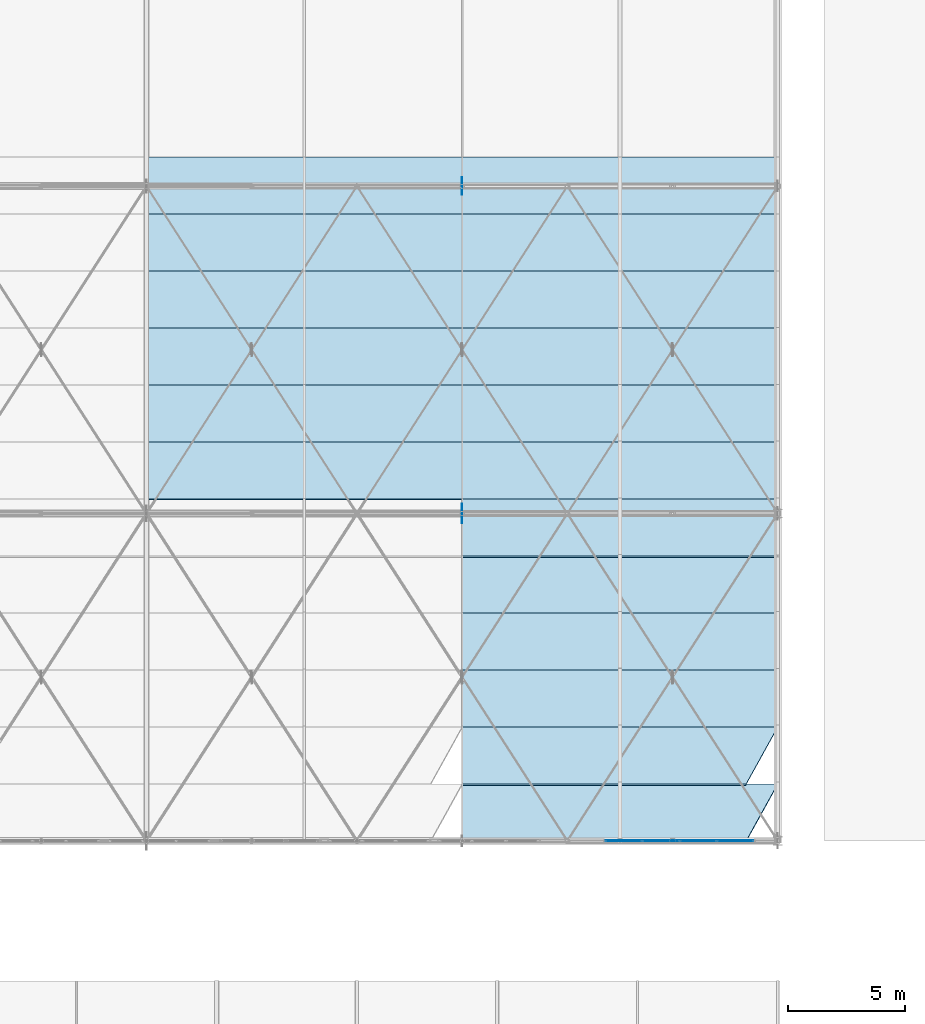
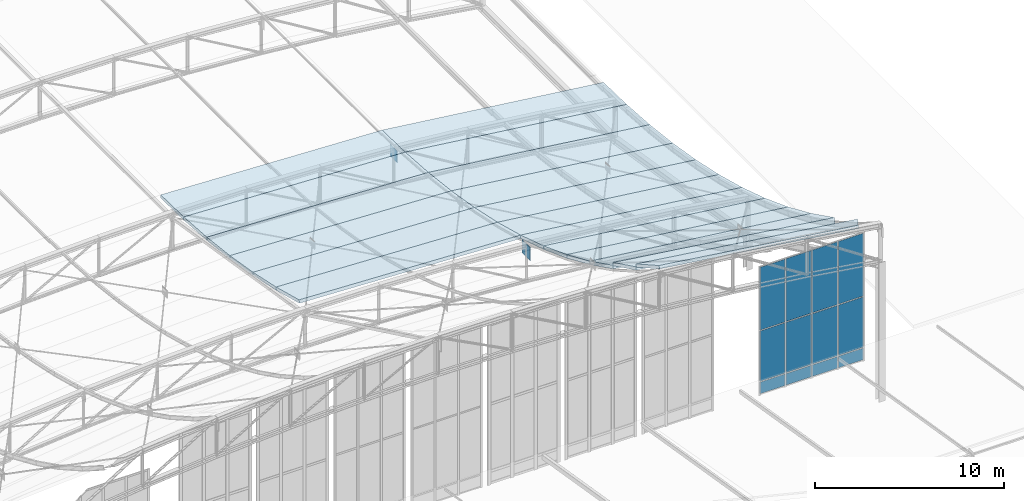
# One storey, part 230 of 262: 18 slabs, 14 plates, 1 element without a shape of its own.
"""IFC4 building model written with IfcOpenShell, lengths in metres."""

from ifc_helpers import new_model, si_unit, derived_unit, direction, frame, origin, origin_2d, place, context, subcontext, project, spatial, polyline, rectangle, outline, extrude, material, layer, layer_set, type_object, element, aggregate, save


model = new_model("IFC4")

# Units and contexts
model_context = context("Model", 3, precision=1e-05, world=origin(), true_north=direction((0.0, 1.0)))
body_context = subcontext(model_context, "Body", "Model", "MODEL_VIEW")
ifc_project = project(units=[si_unit("LENGTHUNIT", "METRE"), si_unit("AREAUNIT", "SQUARE_METRE"), si_unit("VOLUMEUNIT", "CUBIC_METRE"), si_unit("PLANEANGLEUNIT", "RADIAN"), si_unit("MASSUNIT", "GRAM", prefix="KILO"), derived_unit("THERMALTRANSMITTANCEUNIT", [(si_unit("POWERUNIT", "WATT"), 1), (si_unit("LENGTHUNIT", "METRE"), -2), (si_unit("THERMODYNAMICTEMPERATUREUNIT", "KELVIN"), -1)])], contexts=[model_context])

# Site, building, storey
site_placement = place(None, origin())
site = spatial("IfcSite", under=ifc_project, at=site_placement, CompositionType="ELEMENT")
building_placement = place(site_placement, origin())
building = spatial("IfcBuilding", under=site, at=building_placement, Name="Almenara Railside Exhibition Hall", CompositionType="ELEMENT")
storey_placement = place(building_placement, frame((0.0, 0.0, 21.699951171875)))
storey = spatial("IfcBuildingStorey", under=building, at=storey_placement, Name="RF", CompositionType="ELEMENT", Elevation=21.699951171875)

# Curtain wall, plates
ifc_material_1 = material(Name="Bronze-anodised aluminium and low-E double glazing", Category="aluminium")
ifc_layer_1 = layer(ifc_material_1, 0.179931640625, Name="Bronze-anodised aluminium and low-E double glazing")
ifc_layer_set_1 = layer_set([ifc_layer_1], Name="Bronze-anodised aluminium and low-E double glazing")
curtain_wall_type = type_object("IfcCurtainWallType", Name="Scroll Gable Standard Curtain Wall 3600x5000", PredefinedType="NOTDEFINED", material=ifc_layer_set_1)
curtain_wall_placement = place(storey_placement, origin())
curtain_wall = element("IfcCurtainWall", 1, at=curtain_wall_placement, inside=storey, type_object=curtain_wall_type, Name="Curtain wall CW-G2-215", PredefinedType="NOTDEFINED")
ifc_material_2 = material(Name="Solar-control acoustic laminated glazing", Category="glass")
ifc_layer_2 = layer(ifc_material_2, 0.031982421875, Name="Solar-control acoustic laminated glazing")
ifc_layer_set_2 = layer_set([ifc_layer_2], Name="Solar-control acoustic laminated glazing")
plate_type_1 = type_object("IfcPlateType", Name="Acoustic Low-E Double Glazing Panel 32mm", PredefinedType="CURTAIN_PANEL", material=ifc_layer_set_2)
plate_1_placement = place(storey_placement, frame((185.413818359375, 34.0, -6.6259765625), z_axis=(0.0, 0.0, 1.0), x_axis=(1.0, 0.0, 0.0)))
plate_1 = element("IfcPlate", 2, at=plate_1_placement, type_object=plate_type_1, Name="CW-G2-215 panel 1.1", PredefinedType="CURTAIN_PANEL", context=body_context, shape_type="SweptSolid", body=[
    extrude(rectangle(XDim=1.533447265625, YDim=0.031982421875, at=origin_2d()), origin(), (0.0, 0.0, 1.0), 0.7470703125),
])
plate_2_placement = place(storey_placement, frame((185.413818359375, 34.0, -5.82080078125), z_axis=(0.0, 0.0, 1.0), x_axis=(1.0, 0.0, 0.0)))
plate_2 = element("IfcPlate", 3, at=plate_2_placement, type_object=plate_type_1, Name="CW-G2-215 panel 1.2", PredefinedType="CURTAIN_PANEL", context=body_context, shape_type="SweptSolid", body=[
    extrude(rectangle(XDim=1.533447265625, YDim=0.031982421875, at=origin_2d()), origin(), (0.0, 0.0, 1.0), 3.241943359375),
])
plate_3_placement = place(storey_placement, frame((185.413818359375, 34.0, -2.52099609375), z_axis=(0.0, 0.0, 1.0), x_axis=(1.0, 0.0, 0.0)))
plate_3 = element("IfcPlate", 4, at=plate_3_placement, type_object=plate_type_1, Name="CW-G2-215 panel 1.3", PredefinedType="CURTAIN_PANEL", context=body_context, shape_type="SweptSolid", body=[
    extrude(rectangle(XDim=1.533447265625, YDim=0.031982421875, at=origin_2d()), origin(), (0.0, 0.0, 1.0), 4.047119140625),
])
plate_4_placement = place(storey_placement, frame((187.0, 34.0, -6.6259765625), z_axis=(0.0, 0.0, 1.0), x_axis=(1.0, 0.0, 0.0)))
plate_4 = element("IfcPlate", 5, at=plate_4_placement, type_object=plate_type_1, Name="CW-G2-215 panel 2.1", PredefinedType="CURTAIN_PANEL", context=body_context, shape_type="SweptSolid", body=[
    extrude(rectangle(XDim=1.56103515625, YDim=0.031982421875, at=origin_2d()), origin(), (0.0, 0.0, 1.0), 0.7470703125),
])
plate_5_placement = place(storey_placement, frame((187.0, 34.0, -5.82080078125), z_axis=(0.0, 0.0, 1.0), x_axis=(1.0, 0.0, 0.0)))
plate_5 = element("IfcPlate", 6, at=plate_5_placement, type_object=plate_type_1, Name="CW-G2-215 panel 2.2", PredefinedType="CURTAIN_PANEL", context=body_context, shape_type="SweptSolid", body=[
    extrude(rectangle(XDim=1.56103515625, YDim=0.031982421875, at=origin_2d()), origin(), (0.0, 0.0, 1.0), 3.241943359375),
])
plate_6_placement = place(storey_placement, frame((187.0, 34.0, -2.52099609375), z_axis=(0.0, 0.0, 1.0), x_axis=(1.0, 0.0, 0.0)))
plate_6 = element("IfcPlate", 7, at=plate_6_placement, type_object=plate_type_1, Name="CW-G2-215 panel 2.3", PredefinedType="CURTAIN_PANEL", context=body_context, shape_type="SweptSolid", body=[
    extrude(rectangle(XDim=1.56103515625, YDim=0.031982421875, at=origin_2d()), origin(), (0.0, 0.0, 1.0), 4.047119140625),
])
plate_7_placement = place(storey_placement, frame((188.60009765625, 34.0, -6.6259765625), z_axis=(0.0, 0.0, 1.0), x_axis=(1.0, 0.0, 0.0)))
plate_7 = element("IfcPlate", 8, at=plate_7_placement, type_object=plate_type_1, Name="CW-G2-215 panel 3.1", PredefinedType="CURTAIN_PANEL", context=body_context, shape_type="SweptSolid", body=[
    extrude(rectangle(XDim=1.56103515625, YDim=0.031982421875, at=origin_2d()), origin(), (0.0, 0.0, 1.0), 0.7470703125),
])
plate_8_placement = place(storey_placement, frame((188.60009765625, 34.0, -5.82080078125), z_axis=(0.0, 0.0, 1.0), x_axis=(1.0, 0.0, 0.0)))
plate_8 = element("IfcPlate", 9, at=plate_8_placement, type_object=plate_type_1, Name="CW-G2-215 panel 3.2", PredefinedType="CURTAIN_PANEL", context=body_context, shape_type="SweptSolid", body=[
    extrude(rectangle(XDim=1.56103515625, YDim=0.031982421875, at=origin_2d()), origin(), (0.0, 0.0, 1.0), 3.241943359375),
])
plate_9_placement = place(storey_placement, frame((188.60009765625, 34.0, -2.52099609375), z_axis=(0.0, 0.0, 1.0), x_axis=(1.0, 0.0, 0.0)))
plate_9 = element("IfcPlate", 10, at=plate_9_placement, type_object=plate_type_1, Name="CW-G2-215 panel 3.3", PredefinedType="CURTAIN_PANEL", context=body_context, shape_type="SweptSolid", body=[
    extrude(rectangle(XDim=1.56103515625, YDim=0.031982421875, at=origin_2d()), origin(), (0.0, 0.0, 1.0), 4.047119140625),
])
plate_10_placement = place(storey_placement, frame((190.186279296875, 34.0, -6.6259765625), z_axis=(0.0, 0.0, 1.0), x_axis=(1.0, 0.0, 0.0)))
plate_10 = element("IfcPlate", 11, at=plate_10_placement, type_object=plate_type_1, Name="CW-G2-215 panel 4.1", PredefinedType="CURTAIN_PANEL", context=body_context, shape_type="SweptSolid", body=[
    extrude(rectangle(XDim=1.533447265625, YDim=0.031982421875, at=origin_2d()), origin(), (0.0, 0.0, 1.0), 0.7470703125),
])
plate_11_placement = place(storey_placement, frame((190.186279296875, 34.0, -5.82080078125), z_axis=(0.0, 0.0, 1.0), x_axis=(1.0, 0.0, 0.0)))
plate_11 = element("IfcPlate", 12, at=plate_11_placement, type_object=plate_type_1, Name="CW-G2-215 panel 4.2", PredefinedType="CURTAIN_PANEL", context=body_context, shape_type="SweptSolid", body=[
    extrude(rectangle(XDim=1.533447265625, YDim=0.031982421875, at=origin_2d()), origin(), (0.0, 0.0, 1.0), 3.241943359375),
])
plate_12_placement = place(storey_placement, frame((190.186279296875, 34.0, -2.52099609375), z_axis=(0.0, 0.0, 1.0), x_axis=(1.0, 0.0, 0.0)))
plate_12 = element("IfcPlate", 13, at=plate_12_placement, type_object=plate_type_1, Name="CW-G2-215 panel 4.3", PredefinedType="CURTAIN_PANEL", context=body_context, shape_type="SweptSolid", body=[
    extrude(rectangle(XDim=1.533447265625, YDim=0.031982421875, at=origin_2d()), origin(), (0.0, 0.0, 1.0), 4.047119140625),
])
aggregate(curtain_wall, [plate_1, plate_2, plate_3, plate_4, plate_5, plate_6, plate_7, plate_8, plate_9, plate_10, plate_11, plate_12])

# Slabs
ifc_material_3 = material(Name="White standing-seam insulated steel S355JR roof deck", Category="steel")
ifc_layer_3 = layer(ifc_material_3, 0.195068359375, Name="White standing-seam insulated steel S355JR roof deck")
ifc_layer_set_3 = layer_set([ifc_layer_3], Name="White standing-seam insulated steel S355JR roof deck")
slab_type_1 = type_object("IfcSlabType", Name="Scroll Standing-Seam Insulated Roof Cassette 195mm S355JR", PredefinedType="ROOF", material=ifc_layer_set_3)
slab_1_placement = place(storey_placement, frame((178.5, 38.873291015625, 0.8525390625), z_axis=(0.108779023727, 0.442668279908, 0.890062873038), x_axis=(0.992614382556, 0.0, -0.121312355276)))
element("IfcSlab", 14, at=slab_1_placement, inside=storey, type_object=slab_type_1, Name="V2 roof cassette RC-V2-03D", PredefinedType="ROOF", context=body_context, shape_type="SweptSolid", body=[
    extrude(outline(polyline([(0.0, 0.0), (13.600447703804157, 0.0), (13.747467853117554, 2.717527736819313), (0.14702014931339696, 2.717527736819313), (0.0, 0.0)])), origin(), (0.0, 0.0, -1.0), 0.195068359375),
])
slab_2_placement = place(storey_placement, frame((178.5, 41.31005859375, -0.359375), z_axis=(0.111406823331, 0.395931745169, 0.911496885833), x_axis=(0.992613471158, -3.23916e-06, -0.121319812333)))
element("IfcSlab", 15, at=slab_2_placement, inside=storey, type_object=slab_type_1, Name="V2 roof cassette RC-V2-04D", PredefinedType="ROOF", context=body_context, shape_type="SweptSolid", body=[
    extrude(outline(polyline([(0.0, 0.0), (13.600447703349015, 0.0), (13.728868205356042, 2.6536701226083514), (0.12839088291221812, 2.65357417350074), (0.0, 0.0)])), origin(), (0.0, 0.0, -1.0), 0.195068359375),
])
slab_3_placement = place(storey_placement, frame((178.5, 43.746826171875, -1.417724609375), z_axis=(0.113689134993, 0.349265556374, 0.93010125885), x_axis=(0.992612220818, 0.0, -0.121330041965)))
element("IfcSlab", 16, at=slab_3_placement, inside=storey, type_object=slab_type_1, Name="V2 roof cassette RC-V2-05D", PredefinedType="ROOF", context=body_context, shape_type="SweptSolid", body=[
    extrude(outline(polyline([(0.0, 0.0), (13.600477323237415, 0.0), (13.711499051090328, 2.600539730834084), (0.11102172785291241, 2.600539730834084), (0.0, 0.0)])), origin(), (0.0, 0.0, -1.0), 0.195068359375),
])
slab_4_placement = place(storey_placement, frame((178.5, 46.18359375, -2.332763671875), z_axis=(0.115638740889, 0.302679495597, 0.946051163813), x_axis=(0.992612220818, 0.0, -0.121330041965)))
element("IfcSlab", 17, at=slab_4_placement, inside=storey, type_object=slab_type_1, Name="V2 roof cassette RC-V2-06D", PredefinedType="ROOF", context=body_context, shape_type="SweptSolid", body=[
    extrude(outline(polyline([(0.0, 0.0), (13.600477323237415, -5.551115123125783e-17), (13.695059067376784, 2.5564398976318663), (0.09458174413936747, 2.5564398976318663), (0.0, 0.0)])), origin(), (0.0, 0.0, -1.0), 0.195068359375),
])
slab_5_placement = place(storey_placement, frame((165.0, 48.6201171875, -2.562255859375), z_axis=(0.03933677698, 0.257589650078, 0.965453359904), x_axis=(0.99917098071, 0.0, -0.04071057978)))
element("IfcSlab", 18, at=slab_5_placement, inside=storey, type_object=slab_type_1, Name="V2 roof cassette RC-V2-07C", PredefinedType="ROOF", context=body_context, shape_type="SweptSolid", body=[
    extrude(outline(polyline([(0.0, 0.0), (13.511201046291989, 0.0), (13.537668886613126, 2.521869571245723), (0.026467840321138622, 2.521869571245723), (0.0, 0.0)])), origin(), (0.0, 0.0, -1.0), 0.195068359375),
])
slab_6_placement = place(storey_placement, frame((178.5, 48.6201171875, -3.1123046875), z_axis=(0.117286614982, 0.256009943126, 0.959532573166), x_axis=(0.992612220818, 0.0, -0.121330041965)))
element("IfcSlab", 19, at=slab_6_placement, inside=storey, type_object=slab_type_1, Name="V2 roof cassette RC-V2-07D", PredefinedType="ROOF", context=body_context, shape_type="SweptSolid", body=[
    extrude(outline(polyline([(0.0, 0.0), (13.600477323237415, 5.551115123125783e-17), (13.679359623470155, 2.520774536458257), (0.07888230023273898, 2.520774536458257), (0.0, 0.0)])), origin(), (0.0, 0.0, -1.0), 0.195068359375),
])
slab_7_placement = place(storey_placement, frame((165.0, 51.056884765625, -3.21240234375), z_axis=(0.039795900698, 0.210786361166, 0.976721759886), x_axis=(0.99917098071, 0.0, -0.04071057978)))
element("IfcSlab", 20, at=slab_7_placement, inside=storey, type_object=slab_type_1, Name="V2 roof cassette RC-V2-08C", PredefinedType="ROOF", context=body_context, shape_type="SweptSolid", body=[
    extrude(outline(polyline([(0.0, 0.0), (13.511201046291989, 1.3877787807814457e-17), (13.532609881459743, 2.4927748626012405), (0.021408835167755384, 2.4927748626012405), (0.0, 0.0)])), origin(), (0.0, 0.0, -1.0), 0.195068359375),
])
slab_8_placement = place(storey_placement, frame((178.5, 51.056884765625, -3.762451171875), z_axis=(0.118631065148, 0.209417344689, 0.97060344432), x_axis=(0.992613254321, 1.824359e-06, -0.121321586465)))
element("IfcSlab", 21, at=slab_8_placement, inside=storey, type_object=slab_type_1, Name="V2 roof cassette RC-V2-08D", PredefinedType="ROOF", context=body_context, shape_type="SweptSolid", body=[
    extrude(outline(polyline([(0.0, 0.0), (13.600477322721332, 5.551115123125783e-17), (13.664252611927562, 2.491999364984577), (0.06380490873417528, 2.492050114548932), (0.0, 0.0)])), origin(), (0.0, 0.0, -1.0), 0.195068359375),
])
slab_9_placement = place(storey_placement, frame((165.0, 53.49365234375, -3.73828125), z_axis=(0.040159845601, 0.163930057659, 0.985654159935), x_axis=(0.99917098071, 0.0, -0.04071057978)))
element("IfcSlab", 22, at=slab_9_placement, inside=storey, type_object=slab_type_1, Name="V2 roof cassette RC-V2-09C", PredefinedType="ROOF", context=body_context, shape_type="SweptSolid", body=[
    extrude(outline(polyline([(0.0, 0.0), (13.511201046291989, 0.0), (13.527699962902236, 2.4701843199840234), (0.016498916610247882, 2.4701843199840234), (0.0, 0.0)])), origin(), (0.0, 0.0, -1.0), 0.195068359375),
])
slab_10_placement = place(storey_placement, frame((178.5, 53.49365234375, -4.288330078125), z_axis=(0.119692276774, 0.162882973753, 0.979358410257), x_axis=(0.992614382556, 0.0, -0.121312355276)))
element("IfcSlab", 23, at=slab_10_placement, inside=storey, type_object=slab_type_1, Name="V2 roof cassette RC-V2-09D", PredefinedType="ROOF", context=body_context, shape_type="SweptSolid", body=[
    extrude(outline(polyline([(0.0, 0.0), (13.600447703804157, -5.551115123125783e-17), (13.649612379037887, 2.4697501136053037), (0.04916467523373066, 2.4697501136053033), (0.0, 0.0)])), origin(), (0.0, 0.0, -1.0), 0.195068359375),
])
slab_11_placement = place(storey_placement, frame((165.0, 55.930419921875, -4.1435546875), z_axis=(0.040430369248, 0.117126450334, 0.99229369638), x_axis=(0.99917098071, 0.0, -0.04071057978)))
element("IfcSlab", 24, at=slab_11_placement, inside=storey, type_object=slab_type_1, Name="V2 roof cassette RC-V2-10C", PredefinedType="ROOF", context=body_context, shape_type="SweptSolid", body=[
    extrude(outline(polyline([(0.0, 0.0), (13.511201046291989, 0.0), (13.52290931362143, 2.4534102367609565), (0.011708267329440967, 2.4534102367609565), (0.0, 0.0)])), origin(), (0.0, 0.0, -1.0), 0.195068359375),
])
slab_12_placement = place(storey_placement, frame((178.5, 55.930419921875, -4.693603515625), z_axis=(0.120488174976, 0.116368303898, 0.98587069007), x_axis=(0.992614382556, 0.0, -0.121312355276)))
element("IfcSlab", 25, at=slab_12_placement, inside=storey, type_object=slab_type_1, Name="V2 roof cassette RC-V2-10D", PredefinedType="ROOF", context=body_context, shape_type="SweptSolid", body=[
    extrude(outline(polyline([(0.0, 0.0), (13.600447703804157, 2.7755575615628914e-17), (13.635336852855563, 2.4531900906056543), (0.03488914905140646, 2.4531900906056543), (0.0, 0.0)])), origin(), (0.0, 0.0, -1.0), 0.195068359375),
])
slab_13_placement = place(storey_placement, frame((165.0, 58.366943359375, -4.43115234375), z_axis=(0.04061013904, 0.070201803692, 0.996705835924), x_axis=(0.99917098071, 0.0, -0.04071057978)))
element("IfcSlab", 26, at=slab_13_placement, inside=storey, type_object=slab_type_1, Name="V2 roof cassette RC-V2-11C", PredefinedType="ROOF", context=body_context, shape_type="SweptSolid", body=[
    extrude(outline(polyline([(0.0, 0.0), (13.511201046291989, 0.0), (13.518188238085365, 2.4427944164095803), (0.00698719179337606, 2.4427944164095803), (0.0, 0.0)])), origin(), (0.0, 0.0, -1.0), 0.195068359375),
])
slab_14_placement = place(storey_placement, frame((178.5, 58.366943359375, -4.981201171875), z_axis=(0.121016955497, 0.069743384887, 0.990197332226), x_axis=(0.992614382556, 0.0, -0.121312355276)))
element("IfcSlab", 27, at=slab_14_placement, inside=storey, type_object=slab_type_1, Name="V2 roof cassette RC-V2-11D", PredefinedType="ROOF", context=body_context, shape_type="SweptSolid", body=[
    extrude(outline(polyline([(0.0, 0.0), (13.600447703804157, 1.3877787807814457e-17), (13.621268647592899, 2.4427156752251635), (0.020820943788742562, 2.4427156752251635), (0.0, 0.0)])), origin(), (0.0, 0.0, -1.0), 0.195068359375),
])
slab_15_placement = place(storey_placement, frame((165.0, 60.8037109375, -4.602783203125), z_axis=(0.040699414701, 0.023418684202, 0.99889695308), x_axis=(0.99917098071, 0.0, -0.04071057978)))
element("IfcSlab", 28, at=slab_15_placement, inside=storey, type_object=slab_type_1, Name="V2 roof cassette RC-V2-12C", PredefinedType="ROOF", context=body_context, shape_type="SweptSolid", body=[
    extrude(outline(polyline([(0.0, 0.0), (13.511201046291989, 0.0), (13.51352679718765, 2.4374360571332483), (0.0023257508956614483, 2.437436057133248), (0.0, 0.0)])), origin(), (0.0, 0.0, -1.0), 0.195068359375),
])
slab_16_placement = place(storey_placement, frame((178.5, 60.8037109375, -5.15283203125), z_axis=(0.121279519792, 0.023265093355, 0.992345712698), x_axis=(0.992614382556, 0.0, -0.121312355276)))
element("IfcSlab", 29, at=slab_16_placement, inside=storey, type_object=slab_type_1, Name="V2 roof cassette RC-V2-12D", PredefinedType="ROOF", context=body_context, shape_type="SweptSolid", body=[
    extrude(outline(polyline([(0.0, 0.0), (13.600447703804157, 0.0), (13.607378145975659, 2.437427313932009), (0.006930442171501791, 2.4374273139320084), (0.0, 0.0)])), origin(), (0.0, 0.0, -1.0), 0.195068359375),
])
ifc_layer_4 = layer(ifc_material_3, 0.179931640625, Name="White standing-seam insulated steel S355JR roof deck")
ifc_layer_set_4 = layer_set([ifc_layer_4], Name="White standing-seam insulated steel S355JR roof deck")
slab_type_2 = type_object("IfcSlabType", Name="Scroll Tip Standing-Seam Cassette 180mm S355JR", PredefinedType="ROOF", material=ifc_layer_set_4)
slab_17_placement = place(storey_placement, frame((178.5, 34.0, 3.7900390625), z_axis=(0.117429097248, 0.488394325668, 0.864685717342), x_axis=(0.990904371695, -4.185217e-06, -0.134567923879)))
element("IfcSlab", 30, at=slab_17_placement, inside=storey, type_object=slab_type_2, Name="V2 roof cassette RC-V2-01D", PredefinedType="ROOF", context=body_context, shape_type="SweptSolid", body=[
    extrude(outline(polyline([(0.0, 0.0), (12.261415281097584, -1.1102230246251565e-16), (13.809123745085826, 2.7925292368835732), (0.18518496441952192, 2.7924050872722272), (0.0, 0.0)])), origin(), (0.0, 0.0, -1.0), 0.179931640625),
])
slab_18_placement = place(storey_placement, frame((178.5, 36.436767578125, 2.23046875), z_axis=(0.121044329202, 0.436945330368, 0.891306371927), x_axis=(0.99090380187, 3.894878e-06, -0.134572119787)))
element("IfcSlab", 31, at=slab_18_placement, inside=storey, type_object=slab_type_2, Name="V2 roof cassette RC-V2-02D", PredefinedType="ROOF", context=body_context, shape_type="SweptSolid", body=[
    extrude(outline(polyline([(0.0, 0.0), (12.261448135135224, -1.1102230246251565e-16), (13.784672590013463, 2.7087293805550003), (0.16076666332975473, 2.708841466855511), (0.0, 0.0)])), origin(), (0.0, 0.0, -1.0), 0.179931640625),
])

# Plates
ifc_material_4 = material(Name="Structural steel S355JR", Category="steel")
ifc_layer_5 = layer(ifc_material_4, 0.02392578125, Name="Structural steel S355JR")
ifc_layer_set_5 = layer_set([ifc_layer_5], Name="Structural steel S355JR")
plate_type_2 = type_object("IfcPlateType", Name="Truss Node Gusset Plate 24mm S355JR", PredefinedType="USERDEFINED", material=ifc_layer_set_5)
plate_13_placement = place(storey_placement, frame((178.5, 62.0, -6.360107421875), z_axis=(0.0, 0.0, 1.0), x_axis=(0.0, 1.0, 0.0)))
element("IfcPlate", 32, at=plate_13_placement, inside=storey, type_object=plate_type_2, Name="PLT-GUS-0126", ObjectType="GUSSET_PLATE", PredefinedType="USERDEFINED", context=body_context, shape_type="SweptSolid", body=[
    extrude(rectangle(XDim=0.75, YDim=0.02392578125, at=origin_2d()), origin(), (0.0, 0.0, 1.0), 0.75),
])
ifc_layer_6 = layer(ifc_material_4, 0.028076171875, Name="Structural steel S355JR")
ifc_layer_set_6 = layer_set([ifc_layer_6], Name="Structural steel S355JR")
plate_type_3 = type_object("IfcPlateType", Name="Truss Node Gusset Plate 28mm S355JR", PredefinedType="USERDEFINED", material=ifc_layer_set_6)
plate_14_placement = place(storey_placement, frame((178.5, 48.0, -4.1416015625), z_axis=(0.0, 0.0, 1.0), x_axis=(0.0, 1.0, 0.0)))
element("IfcPlate", 33, at=plate_14_placement, inside=storey, type_object=plate_type_3, Name="PLT-GUS-0121", ObjectType="GUSSET_PLATE", PredefinedType="USERDEFINED", context=body_context, shape_type="SweptSolid", body=[
    extrude(rectangle(XDim=0.85009765625, YDim=0.028076171875, at=origin_2d()), origin(), (0.0, 0.0, 1.0), 0.85009765625),
])

save(model, "model.ifc")
